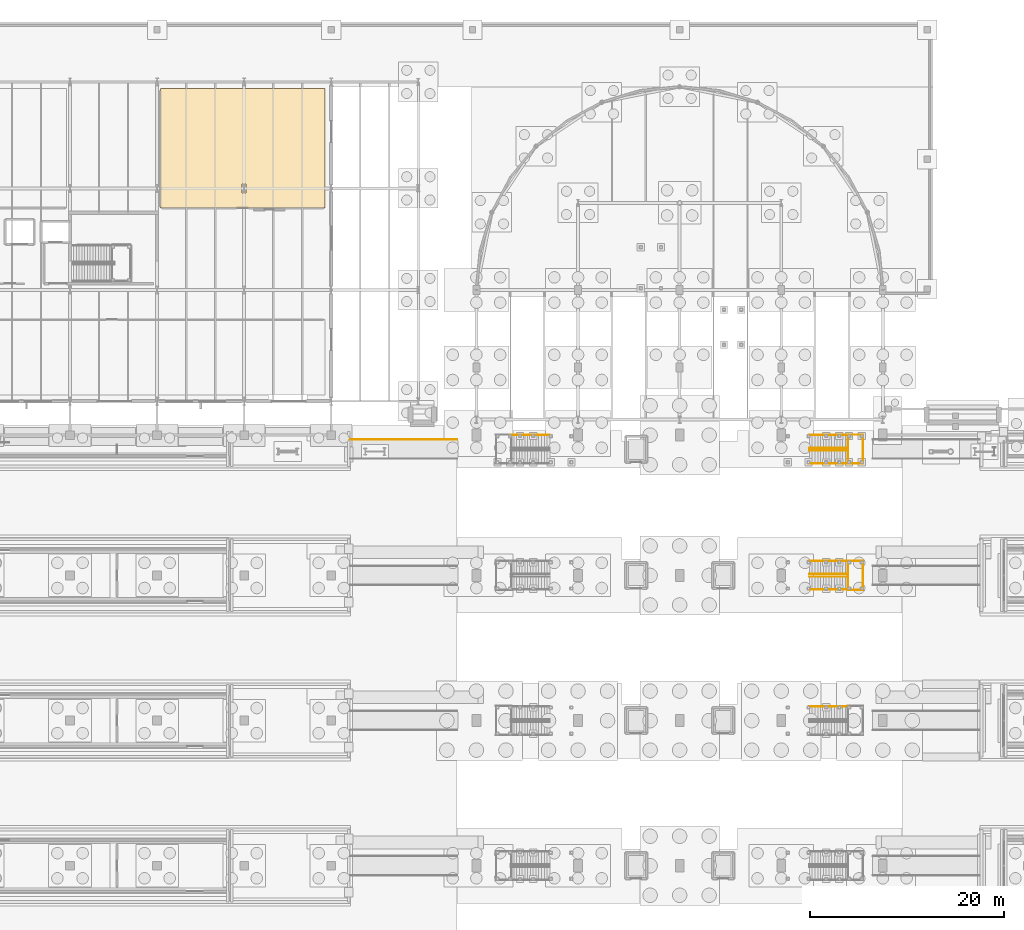
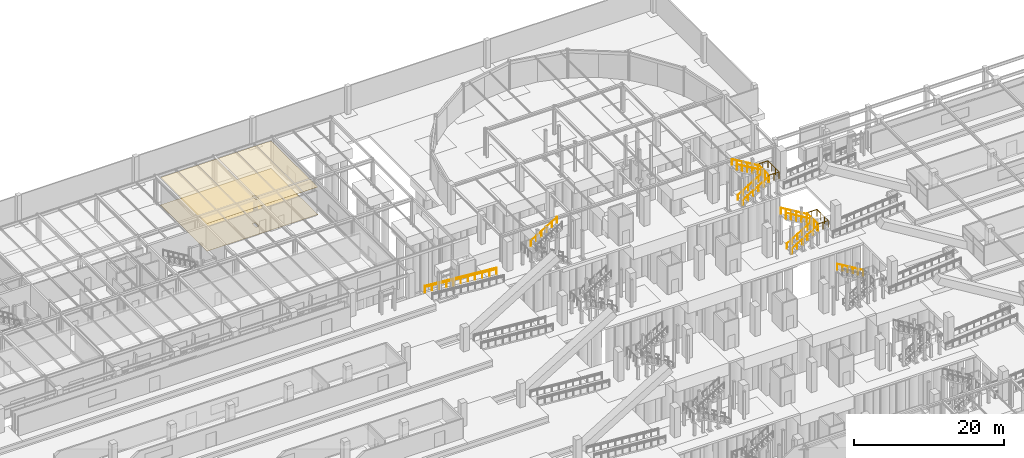
# One storey, part 157 of 160: 16 railings, 2 coverings.
"""IFC4 building model written with IfcOpenShell, lengths in metres."""

from ifc_helpers import new_model, si_unit, direction, frame, origin, origin_2d, place, context, subcontext, project, spatial, polyline, circle, outline, extrude, material, layer, layer_set, type_object, element, save


model = new_model("IFC4")

# Units and contexts
model_context = context("Model", 3, precision=1e-05, world=origin(), true_north=direction((0.0, 1.0)))
body_context = subcontext(model_context, "Body", "Model", "MODEL_VIEW")
ifc_project = project(units=[si_unit("LENGTHUNIT", "METRE"), si_unit("AREAUNIT", "SQUARE_METRE"), si_unit("VOLUMEUNIT", "CUBIC_METRE"), si_unit("PLANEANGLEUNIT", "RADIAN"), si_unit("MASSUNIT", "GRAM", prefix="KILO")], contexts=[model_context])

# Site, building, storey
site_placement = place(None, origin())
site = spatial("IfcSite", under=ifc_project, at=site_placement, CompositionType="ELEMENT")
building_placement = place(site_placement, origin())
building = spatial("IfcBuilding", under=site, at=building_placement, Name="Marlcrest Central Station", CompositionType="ELEMENT")
storey_placement = place(building_placement, origin())
storey = spatial("IfcBuildingStorey", under=building, at=storey_placement, Name="L00", CompositionType="ELEMENT", Elevation=0.0)

# Coverings
ifc_material_1 = material(Name="Perforated acoustic mineral-fibre ceiling")
ifc_layer_1 = layer(ifc_material_1, 0.02490234375, Name="CV-CLG")
ifc_layer_set_1 = layer_set([ifc_layer_1], Name="Perforated acoustic mineral-fibre ceiling")
covering_type_1 = type_object("IfcCoveringType", Name="CV-CLG", PredefinedType="CEILING", material=ifc_layer_set_1)
covering_1_placement = place(storey_placement, frame((0.0, 0.0, 4.47509765625)))
element("IfcCovering", 1, at=covering_1_placement, inside=storey, type_object=covering_type_1, Name="cov-clg-0068", PredefinedType="CEILING", context=body_context, shape_type="SweptSolid", body=[
    extrude(outline(polyline([(54.360107421875, 118.9599609375), (54.360107421875, 131.340087890625), (71.340087890625, 131.340087890625), (71.340087890625, 118.9599609375), (54.360107421875, 118.9599609375)]), holes=[polyline([(63.2099609375, 121.4599609375), (62.7900390625, 121.4599609375), (62.7900390625, 120.5400390625), (63.2099609375, 120.5400390625), (63.2099609375, 121.4599609375)])]), origin(), (0.0, 0.0, 1.0), 0.02490234375),
])
ifc_material_2 = material(Name="Polished terrazzo and tactile transit flooring")
ifc_layer_2 = layer(ifc_material_2, 0.030029296875, Name="CV-FLR")
ifc_layer_set_2 = layer_set([ifc_layer_2], Name="Polished terrazzo and tactile transit flooring")
covering_type_2 = type_object("IfcCoveringType", Name="CV-FLR", PredefinedType="FLOORING", material=ifc_layer_set_2)
covering_2_placement = place(storey_placement, origin())
element("IfcCovering", 2, at=covering_2_placement, inside=storey, type_object=covering_type_2, Name="cov-flr-0069", PredefinedType="FLOORING", context=body_context, shape_type="SweptSolid", body=[
    extrude(outline(polyline([(54.360107421875, 118.9599609375), (54.360107421875, 131.340087890625), (71.340087890625, 131.340087890625), (71.340087890625, 118.9599609375), (54.360107421875, 118.9599609375)]), holes=[polyline([(63.2099609375, 121.4599609375), (62.7900390625, 121.4599609375), (62.7900390625, 120.5400390625), (63.2099609375, 120.5400390625), (63.2099609375, 121.4599609375)])]), origin(), (0.0, 0.0, 1.0), 0.030029296875),
])

# Railings
ifc_material_3 = material(Name="Stainless steel and laminated glass concourse balustrade", Category="steel")
railing_type_1 = type_object("IfcRailingType", Name="GR-02", PredefinedType="BALUSTRADE", material=ifc_material_3)
railing_1_placement = place(storey_placement, frame((125.3701171875, 79.510009765625, 2.39990234375)))
element("IfcRailing", 3, at=railing_1_placement, inside=storey, type_object=railing_type_1, Name="hr-L00-00130", PredefinedType="BALUSTRADE", context=body_context, shape_type="SweptSolid", body=[
    extrude(circle(Radius=0.02392578125, at=origin_2d()), frame((0.0, 0.0, 1.09619140625), z_axis=(1.0, 0.0, 0.0), x_axis=(0.0, 1.0, 0.0)), (0.0, 0.0, 1.0), 1.599853515625),
    extrude(circle(Radius=0.02392578125, at=origin_2d()), frame((1.599853515625, 0.0, 1.09619140625), z_axis=(0.0, 1.0, 0.0), x_axis=(-1.0, 0.0, 0.0)), (0.0, 0.0, 1.0), 2.97998046875),
    extrude(circle(Radius=0.02392578125, at=origin_2d()), frame((1.599853515625, 2.97998046875, 1.09619140625), z_axis=(-1.0, 0.0, 0.0), x_axis=(0.0, -1.0, 0.0)), (0.0, 0.0, 1.0), 1.599853515625),
    extrude(circle(Radius=0.02099609375, at=origin_2d()), origin(), (0.0, 0.0, 1.0), 1.072021484375),
    extrude(circle(Radius=0.02099609375, at=origin_2d()), frame((0.7998046875, 0.0, 0.0)), (0.0, 0.0, 1.0), 1.072021484375),
    extrude(circle(Radius=0.02099609375, at=origin_2d()), frame((1.599853515625, 0.0, 0.0)), (0.0, 0.0, 1.0), 1.072021484375),
    extrude(circle(Radius=0.02099609375, at=origin_2d()), frame((1.599853515625, 0.993408203125, 0.0)), (0.0, 0.0, 1.0), 1.072021484375),
    extrude(circle(Radius=0.02099609375, at=origin_2d()), frame((1.599853515625, 1.986572265625, 0.0)), (0.0, 0.0, 1.0), 1.072021484375),
    extrude(circle(Radius=0.02099609375, at=origin_2d()), frame((1.599853515625, 2.97998046875, 0.0)), (0.0, 0.0, 1.0), 1.072021484375),
    extrude(circle(Radius=0.02099609375, at=origin_2d()), frame((0.7998046875, 2.97998046875, 0.0)), (0.0, 0.0, 1.0), 1.072021484375),
    extrude(circle(Radius=0.02099609375, at=origin_2d()), frame((0.0, 2.97998046875, 0.0)), (0.0, 0.0, 1.0), 1.072021484375),
])
railing_2_placement = place(storey_placement, frame((85.0, 95.0400390625, 0.0)))
element("IfcRailing", 4, at=railing_2_placement, inside=storey, type_object=railing_type_1, Name="hr-L00-00146", PredefinedType="BALUSTRADE", context=body_context, shape_type="SweptSolid", body=[
    extrude(circle(Radius=0.02392578125, at=origin_2d()), frame((0.0, 0.0, 1.09619140625), z_axis=(-0.996557950635, 0.0, 0.082899041171), x_axis=(0.0, -1.0, 0.0)), (0.0, 0.0, 1.0), 11.0380859375),
    extrude(circle(Radius=0.02099609375, at=origin_2d()), origin(), (0.0, 0.0, 1.0), 1.072021484375),
    extrude(circle(Radius=0.02099609375, at=origin_2d()), frame((-1.10009765625, 0.0, 0.091552734375)), (0.0, 0.0, 1.0), 1.072021484375),
    extrude(circle(Radius=0.02099609375, at=origin_2d()), frame((-2.199951171875, 0.0, 0.18310546875)), (0.0, 0.0, 1.0), 1.072021484375),
    extrude(circle(Radius=0.02099609375, at=origin_2d()), frame((-3.300048828125, 0.0, 0.2744140625)), (0.0, 0.0, 1.0), 1.072021484375),
    extrude(circle(Radius=0.02099609375, at=origin_2d()), frame((-4.39990234375, 0.0, 0.365966796875)), (0.0, 0.0, 1.0), 1.072021484375),
    extrude(circle(Radius=0.02099609375, at=origin_2d()), frame((-5.5, 0.0, 0.45751953125)), (0.0, 0.0, 1.0), 1.072021484375),
    extrude(circle(Radius=0.02099609375, at=origin_2d()), frame((-6.60009765625, 0.0, 0.549072265625)), (0.0, 0.0, 1.0), 1.072021484375),
    extrude(circle(Radius=0.02099609375, at=origin_2d()), frame((-7.699951171875, 0.0, 0.640625)), (0.0, 0.0, 1.0), 1.072021484375),
    extrude(circle(Radius=0.02099609375, at=origin_2d()), frame((-8.800048828125, 0.0, 0.73193359375)), (0.0, 0.0, 1.0), 1.072021484375),
    extrude(circle(Radius=0.02099609375, at=origin_2d()), frame((-9.89990234375, 0.0, 0.823486328125)), (0.0, 0.0, 1.0), 1.072021484375),
    extrude(circle(Radius=0.02099609375, at=origin_2d()), frame((-11.0, 0.0, 0.9150390625)), (0.0, 0.0, 1.0), 1.072021484375),
])
railing_3_placement = place(storey_placement, frame((125.3701171875, 92.56005859375, 2.39990234375)))
element("IfcRailing", 5, at=railing_3_placement, inside=storey, type_object=railing_type_1, Name="hr-L00-00164", PredefinedType="BALUSTRADE", context=body_context, shape_type="SweptSolid", body=[
    extrude(circle(Radius=0.02392578125, at=origin_2d()), frame((0.0, 0.0, 1.09619140625), z_axis=(1.0, 0.0, 0.0), x_axis=(0.0, 1.0, 0.0)), (0.0, 0.0, 1.0), 1.599853515625),
    extrude(circle(Radius=0.02392578125, at=origin_2d()), frame((1.599853515625, 0.0, 1.09619140625), z_axis=(0.0, 1.0, 0.0), x_axis=(-1.0, 0.0, 0.0)), (0.0, 0.0, 1.0), 2.97998046875),
    extrude(circle(Radius=0.02392578125, at=origin_2d()), frame((1.599853515625, 2.97998046875, 1.09619140625), z_axis=(-1.0, 0.0, 0.0), x_axis=(0.0, -1.0, 0.0)), (0.0, 0.0, 1.0), 1.599853515625),
    extrude(circle(Radius=0.02099609375, at=origin_2d()), origin(), (0.0, 0.0, 1.0), 1.072021484375),
    extrude(circle(Radius=0.02099609375, at=origin_2d()), frame((0.7998046875, 0.0, 0.0)), (0.0, 0.0, 1.0), 1.072021484375),
    extrude(circle(Radius=0.02099609375, at=origin_2d()), frame((1.599853515625, 0.0, 0.0)), (0.0, 0.0, 1.0), 1.072021484375),
    extrude(circle(Radius=0.02099609375, at=origin_2d()), frame((1.599853515625, 0.993408203125, 0.0)), (0.0, 0.0, 1.0), 1.072021484375),
    extrude(circle(Radius=0.02099609375, at=origin_2d()), frame((1.599853515625, 1.986572265625, 0.0)), (0.0, 0.0, 1.0), 1.072021484375),
    extrude(circle(Radius=0.02099609375, at=origin_2d()), frame((1.599853515625, 2.97998046875, 0.0)), (0.0, 0.0, 1.0), 1.072021484375),
    extrude(circle(Radius=0.02099609375, at=origin_2d()), frame((0.7998046875, 2.97998046875, 0.0)), (0.0, 0.0, 1.0), 1.072021484375),
    extrude(circle(Radius=0.02099609375, at=origin_2d()), frame((0.0, 2.97998046875, 0.0)), (0.0, 0.0, 1.0), 1.072021484375),
])
railing_4_placement = place(storey_placement, frame((125.389892578125, 79.64990234375, 2.39990234375)))
element("IfcRailing", 6, at=railing_4_placement, inside=storey, type_object=railing_type_1, Name="hr-L00-00583", PredefinedType="BALUSTRADE", context=body_context, shape_type="SweptSolid", body=[
    extrude(circle(Radius=0.02392578125, at=origin_2d()), frame((0.0, 0.0, 1.09619140625), z_axis=(0.0, 1.0, 0.0), x_axis=(-1.0, 0.0, 0.0)), (0.0, 0.0, 1.0), 2.7001953125),
    extrude(circle(Radius=0.02099609375, at=origin_2d()), origin(), (0.0, 0.0, 1.0), 1.072021484375),
    extrude(circle(Radius=0.02099609375, at=origin_2d()), frame((0.0, 0.900146484375, 0.0)), (0.0, 0.0, 1.0), 1.072021484375),
    extrude(circle(Radius=0.02099609375, at=origin_2d()), frame((0.0, 1.800048828125, 0.0)), (0.0, 0.0, 1.0), 1.072021484375),
    extrude(circle(Radius=0.02099609375, at=origin_2d()), frame((0.0, 2.7001953125, 0.0)), (0.0, 0.0, 1.0), 1.072021484375),
])
railing_5_placement = place(storey_placement, frame((125.389892578125, 92.699951171875, 2.39990234375)))
element("IfcRailing", 7, at=railing_5_placement, inside=storey, type_object=railing_type_1, Name="hr-L00-00587", PredefinedType="BALUSTRADE", context=body_context, shape_type="SweptSolid", body=[
    extrude(circle(Radius=0.02392578125, at=origin_2d()), frame((0.0, 0.0, 1.09619140625), z_axis=(0.0, 1.0, 0.0), x_axis=(-1.0, 0.0, 0.0)), (0.0, 0.0, 1.0), 2.699951171875),
    extrude(circle(Radius=0.02099609375, at=origin_2d()), origin(), (0.0, 0.0, 1.0), 1.072021484375),
    extrude(circle(Radius=0.02099609375, at=origin_2d()), frame((0.0, 0.89990234375, 0.0)), (0.0, 0.0, 1.0), 1.072021484375),
    extrude(circle(Radius=0.02099609375, at=origin_2d()), frame((0.0, 1.800048828125, 0.0)), (0.0, 0.0, 1.0), 1.072021484375),
    extrude(circle(Radius=0.02099609375, at=origin_2d()), frame((0.0, 2.699951171875, 0.0)), (0.0, 0.0, 1.0), 1.072021484375),
])
ifc_material_4 = material(Name="Brushed stainless steel handrail", Category="steel")
railing_type_2 = type_object("IfcRailingType", Name="HR-01", PredefinedType="HANDRAIL", material=ifc_material_4)
railing_6_placement = place(storey_placement, frame((125.409912109375, 67.47509765625, 2.39990234375)))
element("IfcRailing", 8, at=railing_6_placement, inside=storey, type_object=railing_type_2, Name="hr-L00-00091", PredefinedType="HANDRAIL", context=body_context, shape_type="SweptSolid", body=[
    extrude(circle(Radius=0.02392578125, at=origin_2d()), frame((0.0, 0.0, 0.89599609375), z_axis=(-0.856909445827, 0.0, 0.515466974357), x_axis=(0.0, -1.0, 0.0)), (0.0, 0.0, 1.0), 4.65625),
    extrude(circle(Radius=0.02099609375, at=origin_2d()), origin(), (0.0, 0.0, 1.0), 0.871826171875),
    extrude(circle(Radius=0.02099609375, at=origin_2d()), frame((-0.798095703125, 0.0, 0.47998046875)), (0.0, 0.0, 1.0), 0.871826171875),
    extrude(circle(Radius=0.02099609375, at=origin_2d()), frame((-1.595947265625, 0.0, 0.9599609375)), (0.0, 0.0, 1.0), 0.871826171875),
    extrude(circle(Radius=0.02099609375, at=origin_2d()), frame((-2.39404296875, 0.0, 1.440185546875)), (0.0, 0.0, 1.0), 0.871826171875),
    extrude(circle(Radius=0.02099609375, at=origin_2d()), frame((-3.19189453125, 0.0, 1.920166015625)), (0.0, 0.0, 1.0), 0.871826171875),
    extrude(circle(Radius=0.02099609375, at=origin_2d()), frame((-3.989990234375, 0.0, 2.400146484375)), (0.0, 0.0, 1.0), 0.871826171875),
])
railing_7_placement = place(storey_placement, frame((121.419921875, 79.52490234375, 0.0)))
element("IfcRailing", 9, at=railing_7_placement, inside=storey, type_object=railing_type_2, Name="hr-L00-00122", PredefinedType="HANDRAIL", context=body_context, shape_type="SweptSolid", body=[
    extrude(circle(Radius=0.02392578125, at=origin_2d()), frame((0.0, 0.0, 0.89599609375), z_axis=(0.856932605607, 0.0, 0.515428471708), x_axis=(0.0, 1.0, 0.0)), (0.0, 0.0, 1.0), 4.65625),
    extrude(circle(Radius=0.02099609375, at=origin_2d()), origin(), (0.0, 0.0, 1.0), 0.871826171875),
    extrude(circle(Radius=0.02099609375, at=origin_2d()), frame((0.798095703125, 0.0, 0.47998046875)), (0.0, 0.0, 1.0), 0.871826171875),
    extrude(circle(Radius=0.02099609375, at=origin_2d()), frame((1.595947265625, 0.0, 0.9599609375)), (0.0, 0.0, 1.0), 0.871826171875),
    extrude(circle(Radius=0.02099609375, at=origin_2d()), frame((2.39404296875, 0.0, 1.43994140625)), (0.0, 0.0, 1.0), 0.871826171875),
    extrude(circle(Radius=0.02099609375, at=origin_2d()), frame((3.19189453125, 0.0, 1.919921875)), (0.0, 0.0, 1.0), 0.871826171875),
    extrude(circle(Radius=0.02099609375, at=origin_2d()), frame((3.989990234375, 0.0, 2.39990234375)), (0.0, 0.0, 1.0), 0.871826171875),
])
railing_8_placement = place(storey_placement, frame((125.409912109375, 81.135009765625, 2.39990234375)))
element("IfcRailing", 10, at=railing_8_placement, inside=storey, type_object=railing_type_2, Name="hr-L00-00123", PredefinedType="HANDRAIL", context=body_context, shape_type="SweptSolid", body=[
    extrude(circle(Radius=0.02392578125, at=origin_2d()), frame((0.0, 0.0, 0.89599609375), z_axis=(-0.856909445827, 0.0, 0.515466974357), x_axis=(0.0, -1.0, 0.0)), (0.0, 0.0, 1.0), 4.65625),
    extrude(circle(Radius=0.02099609375, at=origin_2d()), origin(), (0.0, 0.0, 1.0), 0.871826171875),
    extrude(circle(Radius=0.02099609375, at=origin_2d()), frame((-0.798095703125, 0.0, 0.47998046875)), (0.0, 0.0, 1.0), 0.871826171875),
    extrude(circle(Radius=0.02099609375, at=origin_2d()), frame((-1.595947265625, 0.0, 0.9599609375)), (0.0, 0.0, 1.0), 0.871826171875),
    extrude(circle(Radius=0.02099609375, at=origin_2d()), frame((-2.39404296875, 0.0, 1.440185546875)), (0.0, 0.0, 1.0), 0.871826171875),
    extrude(circle(Radius=0.02099609375, at=origin_2d()), frame((-3.19189453125, 0.0, 1.920166015625)), (0.0, 0.0, 1.0), 0.871826171875),
    extrude(circle(Radius=0.02099609375, at=origin_2d()), frame((-3.989990234375, 0.0, 2.400146484375)), (0.0, 0.0, 1.0), 0.871826171875),
])
railing_9_placement = place(storey_placement, frame((121.419921875, 80.864990234375, 0.0)))
element("IfcRailing", 11, at=railing_9_placement, inside=storey, type_object=railing_type_2, Name="hr-L00-00124", PredefinedType="HANDRAIL", context=body_context, shape_type="SweptSolid", body=[
    extrude(circle(Radius=0.02392578125, at=origin_2d()), frame((0.0, 0.0, 0.89599609375), z_axis=(0.856932605607, 0.0, 0.515428471708), x_axis=(0.0, 1.0, 0.0)), (0.0, 0.0, 1.0), 4.65625),
    extrude(circle(Radius=0.02099609375, at=origin_2d()), origin(), (0.0, 0.0, 1.0), 0.871826171875),
    extrude(circle(Radius=0.02099609375, at=origin_2d()), frame((0.798095703125, 0.0, 0.47998046875)), (0.0, 0.0, 1.0), 0.871826171875),
    extrude(circle(Radius=0.02099609375, at=origin_2d()), frame((1.595947265625, 0.0, 0.9599609375)), (0.0, 0.0, 1.0), 0.871826171875),
    extrude(circle(Radius=0.02099609375, at=origin_2d()), frame((2.39404296875, 0.0, 1.43994140625)), (0.0, 0.0, 1.0), 0.871826171875),
    extrude(circle(Radius=0.02099609375, at=origin_2d()), frame((3.19189453125, 0.0, 1.919921875)), (0.0, 0.0, 1.0), 0.871826171875),
    extrude(circle(Radius=0.02099609375, at=origin_2d()), frame((3.989990234375, 0.0, 2.39990234375)), (0.0, 0.0, 1.0), 0.871826171875),
])
railing_10_placement = place(storey_placement, frame((125.409912109375, 82.47509765625, 2.39990234375)))
element("IfcRailing", 12, at=railing_10_placement, inside=storey, type_object=railing_type_2, Name="hr-L00-00125", PredefinedType="HANDRAIL", context=body_context, shape_type="SweptSolid", body=[
    extrude(circle(Radius=0.02392578125, at=origin_2d()), frame((0.0, 0.0, 0.89599609375), z_axis=(-0.856909445827, 0.0, 0.515466974357), x_axis=(0.0, -1.0, 0.0)), (0.0, 0.0, 1.0), 4.65625),
    extrude(circle(Radius=0.02099609375, at=origin_2d()), origin(), (0.0, 0.0, 1.0), 0.871826171875),
    extrude(circle(Radius=0.02099609375, at=origin_2d()), frame((-0.798095703125, 0.0, 0.47998046875)), (0.0, 0.0, 1.0), 0.871826171875),
    extrude(circle(Radius=0.02099609375, at=origin_2d()), frame((-1.595947265625, 0.0, 0.9599609375)), (0.0, 0.0, 1.0), 0.871826171875),
    extrude(circle(Radius=0.02099609375, at=origin_2d()), frame((-2.39404296875, 0.0, 1.440185546875)), (0.0, 0.0, 1.0), 0.871826171875),
    extrude(circle(Radius=0.02099609375, at=origin_2d()), frame((-3.19189453125, 0.0, 1.920166015625)), (0.0, 0.0, 1.0), 0.871826171875),
    extrude(circle(Radius=0.02099609375, at=origin_2d()), frame((-3.989990234375, 0.0, 2.400146484375)), (0.0, 0.0, 1.0), 0.871826171875),
])
railing_11_placement = place(storey_placement, frame((90.590087890625, 95.52490234375, 2.39990234375)))
element("IfcRailing", 13, at=railing_11_placement, inside=storey, type_object=railing_type_2, Name="hr-L00-00142", PredefinedType="HANDRAIL", context=body_context, shape_type="SweptSolid", body=[
    extrude(circle(Radius=0.02392578125, at=origin_2d()), frame((0.0, 0.0, 0.89599609375), z_axis=(0.856909445827, 0.0, 0.515466974357), x_axis=(0.0, 1.0, 0.0)), (0.0, 0.0, 1.0), 4.65625),
    extrude(circle(Radius=0.02099609375, at=origin_2d()), origin(), (0.0, 0.0, 1.0), 0.871826171875),
    extrude(circle(Radius=0.02099609375, at=origin_2d()), frame((0.798095703125, 0.0, 0.47998046875)), (0.0, 0.0, 1.0), 0.871826171875),
    extrude(circle(Radius=0.02099609375, at=origin_2d()), frame((1.595947265625, 0.0, 0.9599609375)), (0.0, 0.0, 1.0), 0.871826171875),
    extrude(circle(Radius=0.02099609375, at=origin_2d()), frame((2.39404296875, 0.0, 1.440185546875)), (0.0, 0.0, 1.0), 0.871826171875),
    extrude(circle(Radius=0.02099609375, at=origin_2d()), frame((3.19189453125, 0.0, 1.920166015625)), (0.0, 0.0, 1.0), 0.871826171875),
    extrude(circle(Radius=0.02099609375, at=origin_2d()), frame((3.989990234375, 0.0, 2.400146484375)), (0.0, 0.0, 1.0), 0.871826171875),
])
railing_12_placement = place(storey_placement, frame((85.0, 95.0400390625, 0.0)))
element("IfcRailing", 14, at=railing_12_placement, inside=storey, type_object=railing_type_2, Name="hr-L00-00145", PredefinedType="HANDRAIL", context=body_context, shape_type="SweptSolid", body=[
    extrude(circle(Radius=0.02392578125, at=origin_2d()), frame((0.0, 0.0, 0.89599609375), z_axis=(-0.996557950635, 0.0, 0.082899041171), x_axis=(0.0, -1.0, 0.0)), (0.0, 0.0, 1.0), 11.0380859375),
    extrude(circle(Radius=0.02099609375, at=origin_2d()), origin(), (0.0, 0.0, 1.0), 0.871826171875),
    extrude(circle(Radius=0.02099609375, at=origin_2d()), frame((-1.10009765625, 0.0, 0.091552734375)), (0.0, 0.0, 1.0), 0.871826171875),
    extrude(circle(Radius=0.02099609375, at=origin_2d()), frame((-2.199951171875, 0.0, 0.18310546875)), (0.0, 0.0, 1.0), 0.871826171875),
    extrude(circle(Radius=0.02099609375, at=origin_2d()), frame((-3.300048828125, 0.0, 0.2744140625)), (0.0, 0.0, 1.0), 0.871826171875),
    extrude(circle(Radius=0.02099609375, at=origin_2d()), frame((-4.39990234375, 0.0, 0.365966796875)), (0.0, 0.0, 1.0), 0.871826171875),
    extrude(circle(Radius=0.02099609375, at=origin_2d()), frame((-5.5, 0.0, 0.45751953125)), (0.0, 0.0, 1.0), 0.871826171875),
    extrude(circle(Radius=0.02099609375, at=origin_2d()), frame((-6.60009765625, 0.0, 0.549072265625)), (0.0, 0.0, 1.0), 0.871826171875),
    extrude(circle(Radius=0.02099609375, at=origin_2d()), frame((-7.699951171875, 0.0, 0.640625)), (0.0, 0.0, 1.0), 0.871826171875),
    extrude(circle(Radius=0.02099609375, at=origin_2d()), frame((-8.800048828125, 0.0, 0.73193359375)), (0.0, 0.0, 1.0), 0.871826171875),
    extrude(circle(Radius=0.02099609375, at=origin_2d()), frame((-9.89990234375, 0.0, 0.823486328125)), (0.0, 0.0, 1.0), 0.871826171875),
    extrude(circle(Radius=0.02099609375, at=origin_2d()), frame((-11.0, 0.0, 0.9150390625)), (0.0, 0.0, 1.0), 0.871826171875),
])
railing_13_placement = place(storey_placement, frame((121.419921875, 92.574951171875, 0.0)))
element("IfcRailing", 15, at=railing_13_placement, inside=storey, type_object=railing_type_2, Name="hr-L00-00156", PredefinedType="HANDRAIL", context=body_context, shape_type="SweptSolid", body=[
    extrude(circle(Radius=0.02392578125, at=origin_2d()), frame((0.0, 0.0, 0.89599609375), z_axis=(0.856932605607, 0.0, 0.515428471708), x_axis=(0.0, 1.0, 0.0)), (0.0, 0.0, 1.0), 4.65625),
    extrude(circle(Radius=0.02099609375, at=origin_2d()), origin(), (0.0, 0.0, 1.0), 0.871826171875),
    extrude(circle(Radius=0.02099609375, at=origin_2d()), frame((0.798095703125, 0.0, 0.47998046875)), (0.0, 0.0, 1.0), 0.871826171875),
    extrude(circle(Radius=0.02099609375, at=origin_2d()), frame((1.595947265625, 0.0, 0.9599609375)), (0.0, 0.0, 1.0), 0.871826171875),
    extrude(circle(Radius=0.02099609375, at=origin_2d()), frame((2.39404296875, 0.0, 1.43994140625)), (0.0, 0.0, 1.0), 0.871826171875),
    extrude(circle(Radius=0.02099609375, at=origin_2d()), frame((3.19189453125, 0.0, 1.919921875)), (0.0, 0.0, 1.0), 0.871826171875),
    extrude(circle(Radius=0.02099609375, at=origin_2d()), frame((3.989990234375, 0.0, 2.39990234375)), (0.0, 0.0, 1.0), 0.871826171875),
])
railing_14_placement = place(storey_placement, frame((125.409912109375, 94.18505859375, 2.39990234375)))
element("IfcRailing", 16, at=railing_14_placement, inside=storey, type_object=railing_type_2, Name="hr-L00-00157", PredefinedType="HANDRAIL", context=body_context, shape_type="SweptSolid", body=[
    extrude(circle(Radius=0.02392578125, at=origin_2d()), frame((0.0, 0.0, 0.89599609375), z_axis=(-0.856909445827, 0.0, 0.515466974357), x_axis=(0.0, -1.0, 0.0)), (0.0, 0.0, 1.0), 4.65625),
    extrude(circle(Radius=0.02099609375, at=origin_2d()), origin(), (0.0, 0.0, 1.0), 0.871826171875),
    extrude(circle(Radius=0.02099609375, at=origin_2d()), frame((-0.798095703125, 0.0, 0.47998046875)), (0.0, 0.0, 1.0), 0.871826171875),
    extrude(circle(Radius=0.02099609375, at=origin_2d()), frame((-1.595947265625, 0.0, 0.9599609375)), (0.0, 0.0, 1.0), 0.871826171875),
    extrude(circle(Radius=0.02099609375, at=origin_2d()), frame((-2.39404296875, 0.0, 1.440185546875)), (0.0, 0.0, 1.0), 0.871826171875),
    extrude(circle(Radius=0.02099609375, at=origin_2d()), frame((-3.19189453125, 0.0, 1.920166015625)), (0.0, 0.0, 1.0), 0.871826171875),
    extrude(circle(Radius=0.02099609375, at=origin_2d()), frame((-3.989990234375, 0.0, 2.400146484375)), (0.0, 0.0, 1.0), 0.871826171875),
])
railing_15_placement = place(storey_placement, frame((121.419921875, 93.9150390625, 0.0)))
element("IfcRailing", 17, at=railing_15_placement, inside=storey, type_object=railing_type_2, Name="hr-L00-00158", PredefinedType="HANDRAIL", context=body_context, shape_type="SweptSolid", body=[
    extrude(circle(Radius=0.02392578125, at=origin_2d()), frame((0.0, 0.0, 0.89599609375), z_axis=(0.856932605607, 0.0, 0.515428471708), x_axis=(0.0, 1.0, 0.0)), (0.0, 0.0, 1.0), 4.65625),
    extrude(circle(Radius=0.02099609375, at=origin_2d()), origin(), (0.0, 0.0, 1.0), 0.871826171875),
    extrude(circle(Radius=0.02099609375, at=origin_2d()), frame((0.798095703125, 0.0, 0.47998046875)), (0.0, 0.0, 1.0), 0.871826171875),
    extrude(circle(Radius=0.02099609375, at=origin_2d()), frame((1.595947265625, 0.0, 0.9599609375)), (0.0, 0.0, 1.0), 0.871826171875),
    extrude(circle(Radius=0.02099609375, at=origin_2d()), frame((2.39404296875, 0.0, 1.43994140625)), (0.0, 0.0, 1.0), 0.871826171875),
    extrude(circle(Radius=0.02099609375, at=origin_2d()), frame((3.19189453125, 0.0, 1.919921875)), (0.0, 0.0, 1.0), 0.871826171875),
    extrude(circle(Radius=0.02099609375, at=origin_2d()), frame((3.989990234375, 0.0, 2.39990234375)), (0.0, 0.0, 1.0), 0.871826171875),
])
railing_16_placement = place(storey_placement, frame((125.409912109375, 95.52490234375, 2.39990234375)))
element("IfcRailing", 18, at=railing_16_placement, inside=storey, type_object=railing_type_2, Name="hr-L00-00159", PredefinedType="HANDRAIL", context=body_context, shape_type="SweptSolid", body=[
    extrude(circle(Radius=0.02392578125, at=origin_2d()), frame((0.0, 0.0, 0.89599609375), z_axis=(-0.856909445827, 0.0, 0.515466974357), x_axis=(0.0, -1.0, 0.0)), (0.0, 0.0, 1.0), 4.65625),
    extrude(circle(Radius=0.02099609375, at=origin_2d()), origin(), (0.0, 0.0, 1.0), 0.871826171875),
    extrude(circle(Radius=0.02099609375, at=origin_2d()), frame((-0.798095703125, 0.0, 0.47998046875)), (0.0, 0.0, 1.0), 0.871826171875),
    extrude(circle(Radius=0.02099609375, at=origin_2d()), frame((-1.595947265625, 0.0, 0.9599609375)), (0.0, 0.0, 1.0), 0.871826171875),
    extrude(circle(Radius=0.02099609375, at=origin_2d()), frame((-2.39404296875, 0.0, 1.440185546875)), (0.0, 0.0, 1.0), 0.871826171875),
    extrude(circle(Radius=0.02099609375, at=origin_2d()), frame((-3.19189453125, 0.0, 1.920166015625)), (0.0, 0.0, 1.0), 0.871826171875),
    extrude(circle(Radius=0.02099609375, at=origin_2d()), frame((-3.989990234375, 0.0, 2.400146484375)), (0.0, 0.0, 1.0), 0.871826171875),
])

save(model, "model.ifc")
